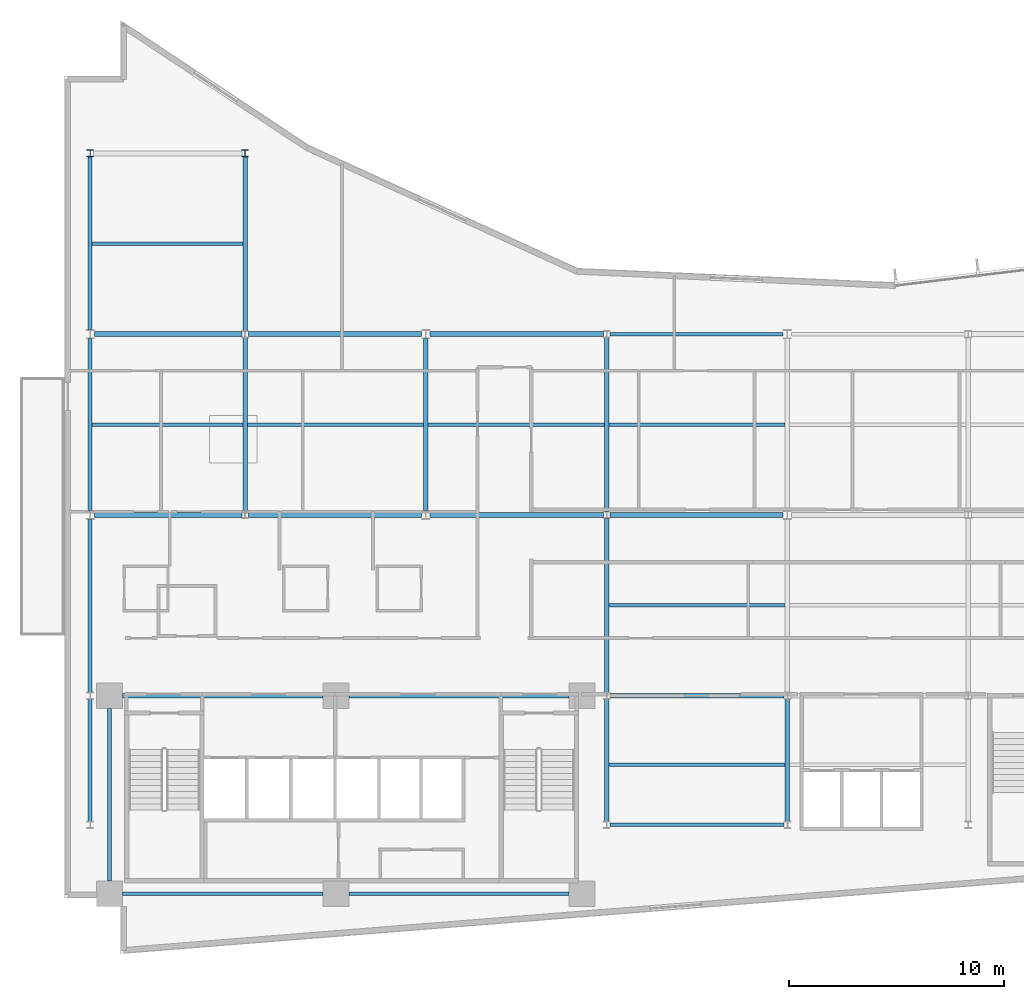
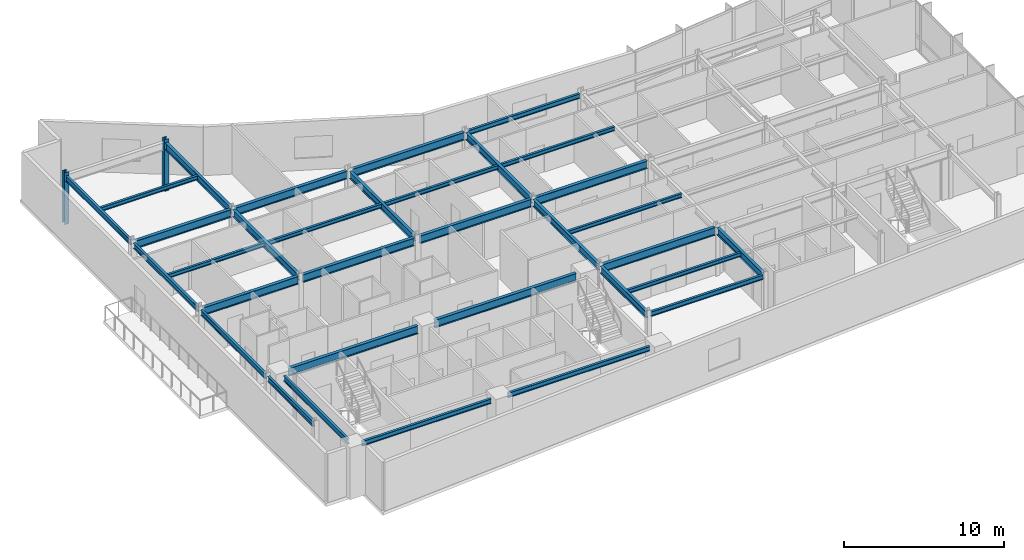
# One storey, part 3 of 17: 33 beams, 2 columns.
"""IFC4 building model written with IfcOpenShell, lengths in metres."""

from ifc_helpers import new_model, si_unit, direction, frame, origin, origin_2d, place, context, subcontext, project, spatial, i_section, extrude, material, material_profile, profile_set, type_object, element, save


model = new_model("IFC4")

# Units and contexts
model_context = context("Model", 3, precision=1e-05, world=origin(), true_north=direction((0.0, 1.0)))
body_context = subcontext(model_context, "Body", "Model", "MODEL_VIEW")
ifc_project = project(units=[si_unit("LENGTHUNIT", "METRE"), si_unit("AREAUNIT", "SQUARE_METRE"), si_unit("VOLUMEUNIT", "CUBIC_METRE"), si_unit("PLANEANGLEUNIT", "RADIAN"), si_unit("MASSUNIT", "GRAM", prefix="KILO")], contexts=[model_context])

# Site, building, storey
site_placement = place(None, origin())
site = spatial("IfcSite", under=ifc_project, at=site_placement, CompositionType="ELEMENT")
building_placement = place(site_placement, origin())
building = spatial("IfcBuilding", under=site, at=building_placement, Name="Varnakote Quay Hospital", CompositionType="ELEMENT")
storey_placement = place(building_placement, frame((0.0, 0.0, 127.050048828125)))
storey = spatial("IfcBuildingStorey", under=building, at=storey_placement, Name="L31", CompositionType="ELEMENT", Elevation=127.050048828125)

# Columns
ifc_material_1 = material(Name="Structural steel AS/NZS 3679.1 Grade 350 L0 (fy 340 MPa)", Category="steel")
ifc_material_profile_1 = material_profile(ifc_material_1, i_section(OverallWidth=0.30908203125, OverallDepth=0.321044921875, WebThickness=0.013916015625, FlangeThickness=0.021728515625, FilletRadius=0.0166015625, at=origin_2d()), Name="310UC137")
ifc_profile_set_1 = profile_set([ifc_material_profile_1], Name="Structural steel AS/NZS 3679.1 Grade 350 L0 (fy 340 MPa)")
column_type = type_object("IfcColumnType", Name="COL-STL-310UC137", PredefinedType="COLUMN", material=ifc_profile_set_1)
for number, where, z_axis, x_axis, name in (
    (1, (1.199951171875, 37.199951171875, 0.0), (0.0, 0.0, 1.0), (1.0, 0.0, 0.0), "L31 Structural Column C-1-37"),
    (2, (8.39990234375, 37.199951171875, 0.0), (0.0, 0.0, 1.0), (1.0, 0.0, 0.0), "L31 Structural Column C-8-37"),
):
    element("IfcColumn", number, at=place(storey_placement, frame(where, z_axis=z_axis, x_axis=x_axis)), inside=storey, type_object=column_type, Name=name, PredefinedType="COLUMN", context=body_context, shape_type="SweptSolid", body=[
        extrude(i_section(OverallWidth=0.30908203125, OverallDepth=0.321044921875, WebThickness=0.013916015625, FlangeThickness=0.021728515625, FilletRadius=0.0166015625, at=origin_2d()), origin(), (0.0, 0.0, 1.0), 3.949951171875),
    ])

# Beams
ifc_material_2 = material(Name="Structural steel AS/NZS 3679.1 Grade 350 L0 (fy 340 MPa)", Category="steel")
ifc_material_profile_2 = material_profile(ifc_material_2, i_section(OverallWidth=0.208984375, OverallDepth=0.532958984375, WebThickness=0.01025390625, FlangeThickness=0.015625, FilletRadius=0.013916015625, at=origin_2d()), Name="530UB92.4")
ifc_profile_set_2 = profile_set([ifc_material_profile_2], Name="Structural steel AS/NZS 3679.1 Grade 350 L0 (fy 340 MPa)")
beam_type_1 = type_object("IfcBeamType", Name="BM-STL-530UB92-4", PredefinedType="BEAM", material=ifc_profile_set_2)
beam_1_placement = place(storey_placement, frame((8.39990234375, 20.560546875, 3.443359375), z_axis=(0.0, 1.0, 0.0), x_axis=(-1.0, 0.0, 0.0)))
element("IfcBeam", 3, at=beam_1_placement, inside=storey, type_object=beam_type_1, Name="L31 Primary Tie Beam", PredefinedType="BEAM", context=body_context, shape_type="SweptSolid", body=[
    extrude(i_section(OverallWidth=0.208984375, OverallDepth=0.532958984375, WebThickness=0.01025390625, FlangeThickness=0.015625, FilletRadius=0.013916015625, at=origin_2d()), origin(), (0.0, 0.0, 1.0), 8.078857421875),
])
beam_2_placement = place(storey_placement, frame((8.39990234375, 28.96044921875, 3.443359375), z_axis=(0.0, 1.0, 0.0), x_axis=(-1.0, 0.0, 0.0)))
element("IfcBeam", 4, at=beam_2_placement, inside=storey, type_object=beam_type_1, Name="L31 Primary Tie Beam", PredefinedType="BEAM", context=body_context, shape_type="SweptSolid", body=[
    extrude(i_section(OverallWidth=0.208984375, OverallDepth=0.532958984375, WebThickness=0.01025390625, FlangeThickness=0.015625, FilletRadius=0.013916015625, at=origin_2d()), origin(), (0.0, 0.0, 1.0), 8.0791015625),
])
beam_3_placement = place(storey_placement, frame((16.800048828125, 20.610107421875, 3.443359375), z_axis=(0.0, 1.0, 0.0), x_axis=(-1.0, 0.0, 0.0)))
element("IfcBeam", 5, at=beam_3_placement, inside=storey, type_object=beam_type_1, Name="L31 Primary Tie Beam", PredefinedType="BEAM", context=body_context, shape_type="SweptSolid", body=[
    extrude(i_section(OverallWidth=0.208984375, OverallDepth=0.532958984375, WebThickness=0.01025390625, FlangeThickness=0.015625, FilletRadius=0.013916015625, at=origin_2d()), origin(), (0.0, 0.0, 1.0), 7.97998046875),
])
beam_4_placement = place(storey_placement, frame((25.199951171875, 6.160400390625, 3.443359375), z_axis=(0.0, 1.0, 0.0), x_axis=(-1.0, 0.0, 0.0)))
element("IfcBeam", 6, at=beam_4_placement, inside=storey, type_object=beam_type_1, Name="L31 Primary Tie Beam", PredefinedType="BEAM", context=body_context, shape_type="SweptSolid", body=[
    extrude(i_section(OverallWidth=0.208984375, OverallDepth=0.532958984375, WebThickness=0.01025390625, FlangeThickness=0.015625, FilletRadius=0.013916015625, at=origin_2d()), origin(), (0.0, 0.0, 1.0), 5.67919921875),
])
beam_5_placement = place(storey_placement, frame((25.199951171875, 12.160400390625, 3.443359375), z_axis=(0.0, 1.0, 0.0), x_axis=(-1.0, 0.0, 0.0)))
element("IfcBeam", 7, at=beam_5_placement, inside=storey, type_object=beam_type_1, Name="L31 Primary Tie Beam", PredefinedType="BEAM", context=body_context, shape_type="SweptSolid", body=[
    extrude(i_section(OverallWidth=0.208984375, OverallDepth=0.532958984375, WebThickness=0.01025390625, FlangeThickness=0.015625, FilletRadius=0.013916015625, at=origin_2d()), origin(), (0.0, 0.0, 1.0), 8.0791015625),
])
beam_6_placement = place(storey_placement, frame((25.199951171875, 20.560546875, 3.443359375), z_axis=(0.0, 1.0, 0.0), x_axis=(-1.0, 0.0, 0.0)))
element("IfcBeam", 8, at=beam_6_placement, inside=storey, type_object=beam_type_1, Name="L31 Primary Tie Beam", PredefinedType="BEAM", context=body_context, shape_type="SweptSolid", body=[
    extrude(i_section(OverallWidth=0.208984375, OverallDepth=0.532958984375, WebThickness=0.01025390625, FlangeThickness=0.015625, FilletRadius=0.013916015625, at=origin_2d()), origin(), (0.0, 0.0, 1.0), 8.078857421875),
])
beam_7_placement = place(storey_placement, frame((33.60009765625, 6.160400390625, 3.443359375), z_axis=(0.0, 1.0, 0.0), x_axis=(-1.0, 0.0, 0.0)))
element("IfcBeam", 9, at=beam_7_placement, inside=storey, type_object=beam_type_1, Name="L31 Primary Tie Beam", PredefinedType="BEAM", context=body_context, shape_type="SweptSolid", body=[
    extrude(i_section(OverallWidth=0.208984375, OverallDepth=0.532958984375, WebThickness=0.01025390625, FlangeThickness=0.015625, FilletRadius=0.013916015625, at=origin_2d()), origin(), (0.0, 0.0, 1.0), 5.67919921875),
])
ifc_material_3 = material(Name="Structural steel AS/NZS 3679.1 Grade 350 L0 (fy 340 MPa)", Category="steel")
ifc_material_profile_3 = material_profile(ifc_material_3, i_section(OverallWidth=0.22802734375, OverallDepth=0.60205078125, WebThickness=0.010498046875, FlangeThickness=0.014892578125, FilletRadius=0.013916015625, at=origin_2d()), Name="610UB101")
ifc_profile_set_3 = profile_set([ifc_material_profile_3], Name="Structural steel AS/NZS 3679.1 Grade 350 L0 (fy 340 MPa)")
beam_type_2 = type_object("IfcBeamType", Name="BM-STL-610UB101", PredefinedType="BEAM", material=ifc_profile_set_3)
beam_8_placement = place(storey_placement, frame((2.699951171875, 12.0, 3.408935546875), z_axis=(1.0, 0.0, 0.0), x_axis=(0.0, 1.0, 0.0)))
element("IfcBeam", 10, at=beam_8_placement, inside=storey, type_object=beam_type_2, Name="L31 Primary Floor Beam", PredefinedType="BEAM", context=body_context, shape_type="SweptSolid", body=[
    extrude(i_section(OverallWidth=0.22802734375, OverallDepth=0.60205078125, WebThickness=0.010498046875, FlangeThickness=0.014892578125, FilletRadius=0.013916015625, at=origin_2d()), origin(), (0.0, 0.0, 1.0), 9.320068359375),
])
beam_9_placement = place(storey_placement, frame((13.219970703125, 12.0, 3.408935546875), z_axis=(1.0, 0.0, 0.0), x_axis=(0.0, 1.0, 0.0)))
element("IfcBeam", 11, at=beam_9_placement, inside=storey, type_object=beam_type_2, Name="L31 Primary Floor Beam", PredefinedType="BEAM", context=body_context, shape_type="SweptSolid", body=[
    extrude(i_section(OverallWidth=0.22802734375, OverallDepth=0.60205078125, WebThickness=0.010498046875, FlangeThickness=0.014892578125, FilletRadius=0.013916015625, at=origin_2d()), origin(), (0.0, 0.0, 1.0), 10.22998046875),
])
beam_10_placement = place(storey_placement, frame((25.3544921875, 12.0, 3.408935546875), z_axis=(1.0, 0.0, 0.0), x_axis=(0.0, 1.0, 0.0)))
element("IfcBeam", 12, at=beam_10_placement, inside=storey, type_object=beam_type_2, Name="L31 Primary Floor Beam", PredefinedType="BEAM", context=body_context, shape_type="SweptSolid", body=[
    extrude(i_section(OverallWidth=0.22802734375, OverallDepth=0.60205078125, WebThickness=0.010498046875, FlangeThickness=0.014892578125, FilletRadius=0.013916015625, at=origin_2d()), origin(), (0.0, 0.0, 1.0), 8.091064453125),
])
beam_11_placement = place(storey_placement, frame((1.39990234375, 20.39990234375, 3.408935546875), z_axis=(1.0, 0.0, 0.0), x_axis=(0.0, 1.0, 0.0)))
element("IfcBeam", 13, at=beam_11_placement, inside=storey, type_object=beam_type_2, Name="L31 Primary Floor Beam", PredefinedType="BEAM", context=body_context, shape_type="SweptSolid", body=[
    extrude(i_section(OverallWidth=0.22802734375, OverallDepth=0.60205078125, WebThickness=0.010498046875, FlangeThickness=0.014892578125, FilletRadius=0.013916015625, at=origin_2d()), origin(), (0.0, 0.0, 1.0), 6.845703125),
])
beam_12_placement = place(storey_placement, frame((8.554443359375, 20.39990234375, 3.408935546875), z_axis=(1.0, 0.0, 0.0), x_axis=(0.0, 1.0, 0.0)))
element("IfcBeam", 14, at=beam_12_placement, inside=storey, type_object=beam_type_2, Name="L31 Primary Floor Beam", PredefinedType="BEAM", context=body_context, shape_type="SweptSolid", body=[
    extrude(i_section(OverallWidth=0.22802734375, OverallDepth=0.60205078125, WebThickness=0.010498046875, FlangeThickness=0.014892578125, FilletRadius=0.013916015625, at=origin_2d()), origin(), (0.0, 0.0, 1.0), 8.045654296875),
])
for number, where, z_axis, x_axis, name in (
    (15, (17.0, 20.39990234375, 3.408935546875), (1.0, 0.0, 0.0), (0.0, 1.0, 0.0), "L31 Primary Floor Beam"),
    (16, (25.3544921875, 20.39990234375, 3.408935546875), (1.0, 0.0, 0.0), (0.0, 1.0, 0.0), "L31 Primary Floor Beam"),
):
    element("IfcBeam", number, at=place(storey_placement, frame(where, z_axis=z_axis, x_axis=x_axis)), inside=storey, type_object=beam_type_2, Name=name, PredefinedType="BEAM", context=body_context, shape_type="SweptSolid", body=[
        extrude(i_section(OverallWidth=0.22802734375, OverallDepth=0.60205078125, WebThickness=0.010498046875, FlangeThickness=0.014892578125, FilletRadius=0.013916015625, at=origin_2d()), origin(), (0.0, 0.0, 1.0), 8.04541015625),
    ])
beam_13_placement = place(storey_placement, frame((1.39990234375, 28.800048828125, 3.408935546875), z_axis=(1.0, 0.0, 0.0), x_axis=(0.0, 1.0, 0.0)))
element("IfcBeam", 17, at=beam_13_placement, inside=storey, type_object=beam_type_2, Name="L31 Primary Floor Beam", PredefinedType="BEAM", context=body_context, shape_type="SweptSolid", body=[
    extrude(i_section(OverallWidth=0.22802734375, OverallDepth=0.60205078125, WebThickness=0.010498046875, FlangeThickness=0.014892578125, FilletRadius=0.013916015625, at=origin_2d()), origin(), (0.0, 0.0, 1.0), 6.845703125),
])
beam_14_placement = place(storey_placement, frame((8.554443359375, 28.800048828125, 3.408935546875), z_axis=(1.0, 0.0, 0.0), x_axis=(0.0, 1.0, 0.0)))
element("IfcBeam", 18, at=beam_14_placement, inside=storey, type_object=beam_type_2, Name="L31 Primary Floor Beam", PredefinedType="BEAM", context=body_context, shape_type="SweptSolid", body=[
    extrude(i_section(OverallWidth=0.22802734375, OverallDepth=0.60205078125, WebThickness=0.010498046875, FlangeThickness=0.014892578125, FilletRadius=0.013916015625, at=origin_2d()), origin(), (0.0, 0.0, 1.0), 8.045654296875),
])
beam_15_placement = place(storey_placement, frame((17.0, 28.800048828125, 3.408935546875), z_axis=(1.0, 0.0, 0.0), x_axis=(0.0, 1.0, 0.0)))
element("IfcBeam", 19, at=beam_15_placement, inside=storey, type_object=beam_type_2, Name="L31 Primary Floor Beam", PredefinedType="BEAM", context=body_context, shape_type="SweptSolid", body=[
    extrude(i_section(OverallWidth=0.22802734375, OverallDepth=0.60205078125, WebThickness=0.010498046875, FlangeThickness=0.014892578125, FilletRadius=0.013916015625, at=origin_2d()), origin(), (0.0, 0.0, 1.0), 8.04541015625),
])
ifc_material_4 = material(Name="Structural steel AS/NZS 3679.1 Grade 350 L0 (fy 340 MPa)", Category="steel")
ifc_material_profile_4 = material_profile(ifc_material_4, i_section(OverallWidth=0.166015625, OverallDepth=0.306884765625, WebThickness=0.006591796875, FlangeThickness=0.01171875, FilletRadius=0.011474609375, at=origin_2d()), Name="310UB46.2")
ifc_profile_set_4 = profile_set([ifc_material_profile_4], Name="Structural steel AS/NZS 3679.1 Grade 350 L0 (fy 340 MPa)")
beam_type_3 = type_object("IfcBeamType", Name="JST-STL-310UB46-2", PredefinedType="JOIST", material=ifc_profile_set_4)
for number, where, z_axis, x_axis, name in (
    (20, (25.304443359375, 8.800048828125, 3.556396484375), (1.0, 0.0, 0.0), (0.0, 1.0, 0.0), "L31 Composite Floor Joist"),
    (21, (25.304443359375, 16.199951171875, 3.556396484375), (1.0, 0.0, 0.0), (0.0, 1.0, 0.0), "L31 Composite Floor Joist"),
):
    element("IfcBeam", number, at=place(storey_placement, frame(where, z_axis=z_axis, x_axis=x_axis)), inside=storey, type_object=beam_type_3, Name=name, PredefinedType="JOIST", context=body_context, shape_type="SweptSolid", body=[
        extrude(i_section(OverallWidth=0.166015625, OverallDepth=0.306884765625, WebThickness=0.006591796875, FlangeThickness=0.01171875, FilletRadius=0.011474609375, at=origin_2d()), origin(), (0.0, 0.0, 1.0), 8.191162109375),
    ])
beam_16_placement = place(storey_placement, frame((1.2890625, 24.60009765625, 3.556396484375), z_axis=(1.0, 0.0, 0.0), x_axis=(0.0, 1.0, 0.0)))
element("IfcBeam", 22, at=beam_16_placement, inside=storey, type_object=beam_type_3, Name="L31 Composite Floor Joist", PredefinedType="JOIST", context=body_context, shape_type="SweptSolid", body=[
    extrude(i_section(OverallWidth=0.166015625, OverallDepth=0.306884765625, WebThickness=0.006591796875, FlangeThickness=0.01171875, FilletRadius=0.011474609375, at=origin_2d()), origin(), (0.0, 0.0, 1.0), 7.00634765625),
])
beam_17_placement = place(storey_placement, frame((8.50439453125, 24.60009765625, 3.556396484375), z_axis=(1.0, 0.0, 0.0), x_axis=(0.0, 1.0, 0.0)))
element("IfcBeam", 23, at=beam_17_placement, inside=storey, type_object=beam_type_3, Name="L31 Composite Floor Joist", PredefinedType="JOIST", context=body_context, shape_type="SweptSolid", body=[
    extrude(i_section(OverallWidth=0.166015625, OverallDepth=0.306884765625, WebThickness=0.006591796875, FlangeThickness=0.01171875, FilletRadius=0.011474609375, at=origin_2d()), origin(), (0.0, 0.0, 1.0), 8.191162109375),
])
beam_18_placement = place(storey_placement, frame((16.904541015625, 24.60009765625, 3.556396484375), z_axis=(1.0, 0.0, 0.0), x_axis=(0.0, 1.0, 0.0)))
element("IfcBeam", 24, at=beam_18_placement, inside=storey, type_object=beam_type_3, Name="L31 Composite Floor Joist", PredefinedType="JOIST", context=body_context, shape_type="SweptSolid", body=[
    extrude(i_section(OverallWidth=0.166015625, OverallDepth=0.306884765625, WebThickness=0.006591796875, FlangeThickness=0.01171875, FilletRadius=0.011474609375, at=origin_2d()), origin(), (0.0, 0.0, 1.0), 8.19091796875),
])
beam_19_placement = place(storey_placement, frame((25.304443359375, 24.60009765625, 3.556396484375), z_axis=(1.0, 0.0, 0.0), x_axis=(0.0, 1.0, 0.0)))
element("IfcBeam", 25, at=beam_19_placement, inside=storey, type_object=beam_type_3, Name="L31 Composite Floor Joist", PredefinedType="JOIST", context=body_context, shape_type="SweptSolid", body=[
    extrude(i_section(OverallWidth=0.166015625, OverallDepth=0.306884765625, WebThickness=0.006591796875, FlangeThickness=0.01171875, FilletRadius=0.011474609375, at=origin_2d()), origin(), (0.0, 0.0, 1.0), 8.191162109375),
])
beam_20_placement = place(storey_placement, frame((1.2890625, 33.0, 3.556396484375), z_axis=(1.0, 0.0, 0.0), x_axis=(0.0, 1.0, 0.0)))
element("IfcBeam", 26, at=beam_20_placement, inside=storey, type_object=beam_type_3, Name="L31 Composite Floor Joist", PredefinedType="JOIST", context=body_context, shape_type="SweptSolid", body=[
    extrude(i_section(OverallWidth=0.166015625, OverallDepth=0.306884765625, WebThickness=0.006591796875, FlangeThickness=0.01171875, FilletRadius=0.011474609375, at=origin_2d()), origin(), (0.0, 0.0, 1.0), 7.00634765625),
])
ifc_material_5 = material(Name="Structural steel AS/NZS 3679.1 Grade 350 L0 (fy 340 MPa)", Category="steel")
ifc_material_profile_5 = material_profile(ifc_material_5, i_section(OverallWidth=0.172119140625, OverallDepth=0.35888671875, WebThickness=0.008056640625, FlangeThickness=0.012939453125, FilletRadius=0.011474609375, at=origin_2d()), Name="360UB56.7")
ifc_profile_set_5 = profile_set([ifc_material_profile_5], Name="Structural steel AS/NZS 3679.1 Grade 350 L0 (fy 340 MPa)")
beam_type_4 = type_object("IfcBeamType", Name="SPN-STL-360UB56-7", PredefinedType="SPANDREL", material=ifc_profile_set_5)
beam_21_placement = place(storey_placement, frame((2.699951171875, 2.800048828125, 3.530517578125), z_axis=(1.0, 0.0, 0.0), x_axis=(0.0, 1.0, 0.0)))
element("IfcBeam", 27, at=beam_21_placement, inside=storey, type_object=beam_type_4, Name="L31 Perimeter Spandrel Beam", PredefinedType="SPANDREL", context=body_context, shape_type="SweptSolid", body=[
    extrude(i_section(OverallWidth=0.172119140625, OverallDepth=0.35888671875, WebThickness=0.008056640625, FlangeThickness=0.012939453125, FilletRadius=0.011474609375, at=origin_2d()), origin(), (0.0, 0.0, 1.0), 9.320068359375),
])
beam_22_placement = place(storey_placement, frame((13.219970703125, 2.800048828125, 3.530517578125), z_axis=(1.0, 0.0, 0.0), x_axis=(0.0, 1.0, 0.0)))
element("IfcBeam", 28, at=beam_22_placement, inside=storey, type_object=beam_type_4, Name="L31 Perimeter Spandrel Beam", PredefinedType="SPANDREL", context=body_context, shape_type="SweptSolid", body=[
    extrude(i_section(OverallWidth=0.172119140625, OverallDepth=0.35888671875, WebThickness=0.008056640625, FlangeThickness=0.012939453125, FilletRadius=0.011474609375, at=origin_2d()), origin(), (0.0, 0.0, 1.0), 10.22998046875),
])
beam_23_placement = place(storey_placement, frame((25.3544921875, 6.0, 3.530517578125), z_axis=(1.0, 0.0, 0.0), x_axis=(0.0, 1.0, 0.0)))
element("IfcBeam", 29, at=beam_23_placement, inside=storey, type_object=beam_type_4, Name="L31 Perimeter Spandrel Beam", PredefinedType="SPANDREL", context=body_context, shape_type="SweptSolid", body=[
    extrude(i_section(OverallWidth=0.172119140625, OverallDepth=0.35888671875, WebThickness=0.008056640625, FlangeThickness=0.012939453125, FilletRadius=0.011474609375, at=origin_2d()), origin(), (0.0, 0.0, 1.0), 8.091064453125),
])
beam_24_placement = place(storey_placement, frame((25.3544921875, 28.800048828125, 3.530517578125), z_axis=(1.0, 0.0, 0.0), x_axis=(0.0, 1.0, 0.0)))
element("IfcBeam", 30, at=beam_24_placement, inside=storey, type_object=beam_type_4, Name="L31 Perimeter Spandrel Beam", PredefinedType="SPANDREL", context=body_context, shape_type="SweptSolid", body=[
    extrude(i_section(OverallWidth=0.172119140625, OverallDepth=0.35888671875, WebThickness=0.008056640625, FlangeThickness=0.012939453125, FilletRadius=0.011474609375, at=origin_2d()), origin(), (0.0, 0.0, 1.0), 8.04541015625),
])
ifc_material_6 = material(Name="Structural steel AS/NZS 3679.1 Grade 350 L0 (fy 340 MPa)", Category="steel")
ifc_material_profile_6 = material_profile(ifc_material_6, i_section(OverallWidth=0.177978515625, OverallDepth=0.403076171875, WebThickness=0.007568359375, FlangeThickness=0.010986328125, FilletRadius=0.011474609375, at=origin_2d()), Name="410UB53.7")
ifc_profile_set_6 = profile_set([ifc_material_profile_6], Name="Structural steel AS/NZS 3679.1 Grade 350 L0 (fy 340 MPa)")
beam_type_5 = type_object("IfcBeamType", Name="SPN-STL-410UB53-7", PredefinedType="SPANDREL", material=ifc_profile_set_6)
beam_25_placement = place(storey_placement, frame((1.199951171875, 6.160400390625, 3.508544921875), z_axis=(0.0, 1.0, 0.0), x_axis=(-1.0, 0.0, 0.0)))
element("IfcBeam", 31, at=beam_25_placement, inside=storey, type_object=beam_type_5, Name="L31 Perimeter Spandrel Beam", PredefinedType="SPANDREL", context=body_context, shape_type="SweptSolid", body=[
    extrude(i_section(OverallWidth=0.177978515625, OverallDepth=0.403076171875, WebThickness=0.007568359375, FlangeThickness=0.010986328125, FilletRadius=0.011474609375, at=origin_2d()), origin(), (0.0, 0.0, 1.0), 5.67919921875),
])
beam_26_placement = place(storey_placement, frame((1.199951171875, 12.160400390625, 3.508544921875), z_axis=(0.0, 1.0, 0.0), x_axis=(-1.0, 0.0, 0.0)))
element("IfcBeam", 32, at=beam_26_placement, inside=storey, type_object=beam_type_5, Name="L31 Perimeter Spandrel Beam", PredefinedType="SPANDREL", context=body_context, shape_type="SweptSolid", body=[
    extrude(i_section(OverallWidth=0.177978515625, OverallDepth=0.403076171875, WebThickness=0.007568359375, FlangeThickness=0.010986328125, FilletRadius=0.011474609375, at=origin_2d()), origin(), (0.0, 0.0, 1.0), 8.029541015625),
])
beam_27_placement = place(storey_placement, frame((1.199951171875, 20.610107421875, 3.508544921875), z_axis=(0.0, 1.0, 0.0), x_axis=(-1.0, 0.0, 0.0)))
element("IfcBeam", 33, at=beam_27_placement, inside=storey, type_object=beam_type_5, Name="L31 Perimeter Spandrel Beam", PredefinedType="SPANDREL", context=body_context, shape_type="SweptSolid", body=[
    extrude(i_section(OverallWidth=0.177978515625, OverallDepth=0.403076171875, WebThickness=0.007568359375, FlangeThickness=0.010986328125, FilletRadius=0.011474609375, at=origin_2d()), origin(), (0.0, 0.0, 1.0), 7.97998046875),
])
beam_28_placement = place(storey_placement, frame((1.199951171875, 29.010009765625, 3.508544921875), z_axis=(0.0, 1.0, 0.0), x_axis=(-1.0, 0.0, 0.0)))
element("IfcBeam", 34, at=beam_28_placement, inside=storey, type_object=beam_type_5, Name="L31 Perimeter Spandrel Beam", PredefinedType="SPANDREL", context=body_context, shape_type="SweptSolid", body=[
    extrude(i_section(OverallWidth=0.177978515625, OverallDepth=0.403076171875, WebThickness=0.007568359375, FlangeThickness=0.010986328125, FilletRadius=0.011474609375, at=origin_2d()), origin(), (0.0, 0.0, 1.0), 8.029541015625),
])
beam_29_placement = place(storey_placement, frame((2.10009765625, 3.39990234375, 3.508544921875), z_axis=(0.0, 1.0, 0.0), x_axis=(-1.0, 0.0, 0.0)))
element("IfcBeam", 35, at=beam_29_placement, inside=storey, type_object=beam_type_5, Name="L31 Perimeter Spandrel Beam", PredefinedType="SPANDREL", context=body_context, shape_type="SweptSolid", body=[
    extrude(i_section(OverallWidth=0.177978515625, OverallDepth=0.403076171875, WebThickness=0.007568359375, FlangeThickness=0.010986328125, FilletRadius=0.011474609375, at=origin_2d()), origin(), (0.0, 0.0, 1.0), 8.0),
])

save(model, "model.ifc")
